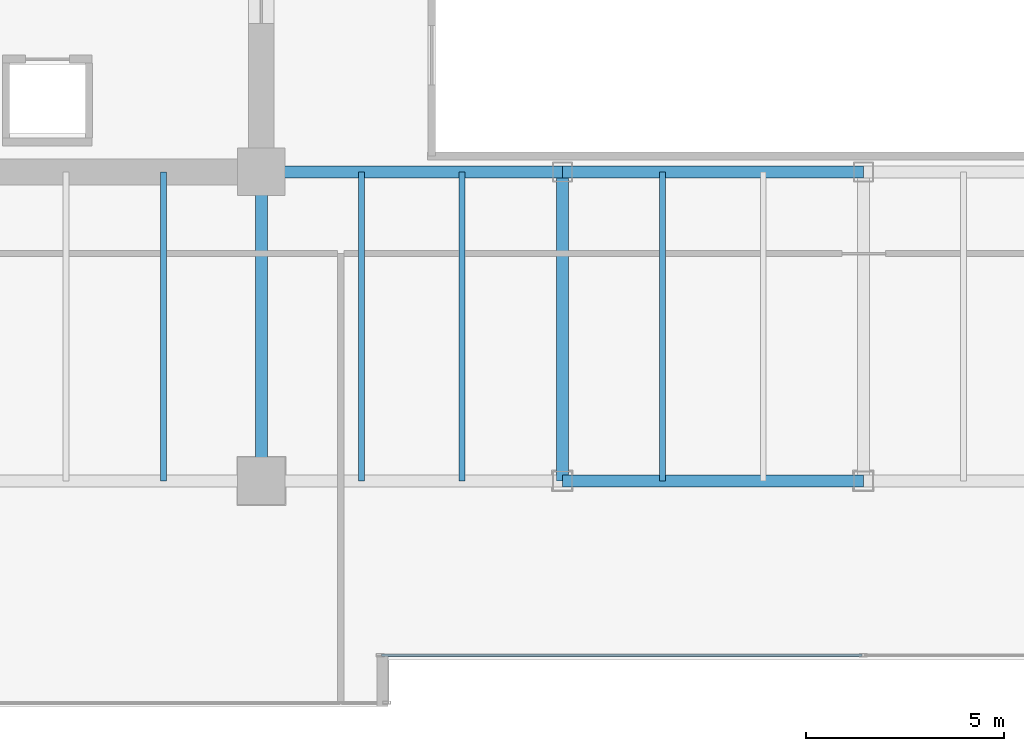
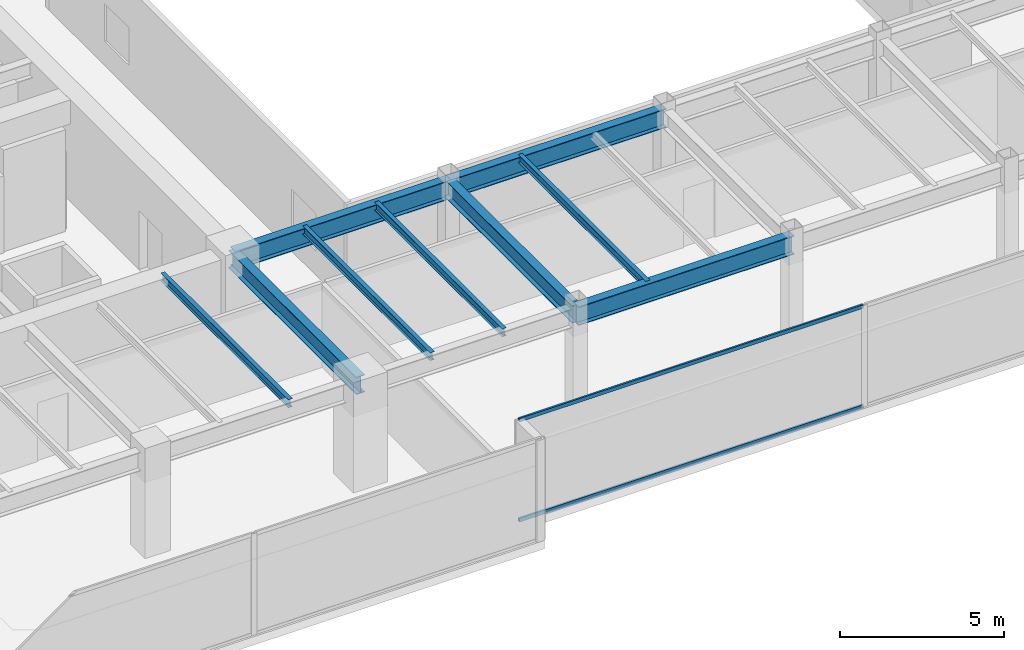
# One storey, part 5 of 33: 9 beams, 2 members, 1 element without a shape of its own.
"""IFC4 building model written with IfcOpenShell, lengths in metres."""

from ifc_helpers import new_model, si_unit, direction, frame, origin, origin_2d, place, context, subcontext, project, spatial, hollow_rectangle, i_section, extrude, source, transform, mapped, material, layer, layer_set, material_profile, profile_set, type_object, type_shapes, element, aggregate, save


model = new_model("IFC4")

# Units and contexts
model_context = context("Model", 3, precision=1e-05, world=origin(), true_north=direction((0.0, 1.0)))
body_context = subcontext(model_context, "Body", "Model", "MODEL_VIEW")
ifc_project = project(units=[si_unit("LENGTHUNIT", "METRE"), si_unit("AREAUNIT", "SQUARE_METRE"), si_unit("VOLUMEUNIT", "CUBIC_METRE"), si_unit("PLANEANGLEUNIT", "RADIAN"), si_unit("MASSUNIT", "GRAM", prefix="KILO")], contexts=[model_context])

# Site, building, storey
site_placement = place(None, origin())
site = spatial("IfcSite", under=ifc_project, at=site_placement, CompositionType="ELEMENT")
building_placement = place(site_placement, origin())
building = spatial("IfcBuilding", under=site, at=building_placement, Name="Haelvirn Gate Laboratories", CompositionType="ELEMENT")
storey_placement = place(building_placement, frame((0.0, 0.0, 133.800048828125)))
storey = spatial("IfcBuildingStorey", under=building, at=storey_placement, Name="L32", CompositionType="ELEMENT", Elevation=133.800048828125)

# Beams
ifc_material_1 = material(Name="Steel SM355", Category="steel")
ifc_material_profile_1 = material_profile(ifc_material_1, i_section(OverallWidth=0.300048828125, OverallDepth=0.64990234375, WebThickness=0.012939453125, FlangeThickness=0.02197265625, at=origin_2d()), Name="H-650x300x13x22")
ifc_profile_set_1 = profile_set([ifc_material_profile_1], Name="Steel SM355")
beam_type_1 = type_object("IfcBeamType", Name="BM-G-650", PredefinedType="BEAM", material=ifc_profile_set_1)
shared_shape_1 = source(origin(), body_context, "Body", "SweptSolid", [
    extrude(i_section(OverallWidth=0.300048828125, OverallDepth=0.64990234375, WebThickness=0.012939453125, FlangeThickness=0.02197265625, at=origin_2d()), origin(), (0.0, 0.0, 1.0), 7.800048828125),
])
type_shapes(beam_type_1, [shared_shape_1])
for number, where, z_axis, x_axis, name in (
    (1, (22.199951171875, 7.0, 3.46484375), (0.0, 1.0, 0.0), (-1.0, 0.0, 0.0), "L32 Frame Girder X22.2 (7.0-14.8)"),
    (2, (29.800048828125, 7.0, 3.46484375), (0.0, 1.0, 0.0), (-1.0, 0.0, 0.0), "L32 Frame Girder X29.8 (7.0-14.8)"),
):
    element("IfcBeam", number, at=place(storey_placement, frame(where, z_axis=z_axis, x_axis=x_axis)), inside=storey, type_object=beam_type_1, Name=name, PredefinedType="BEAM", context=body_context, shape_type="MappedRepresentation", body=[
        mapped(shared_shape_1, transform((0.0, 0.0, 0.0), scale=1.0)),
    ])
ifc_material_profile_2 = material_profile(ifc_material_1, i_section(OverallWidth=0.300048828125, OverallDepth=0.699951171875, WebThickness=0.012939453125, FlangeThickness=0.02392578125, at=origin_2d()), Name="H-700x300x13x24")
ifc_profile_set_2 = profile_set([ifc_material_profile_2], Name="Steel SM355")
beam_type_2 = type_object("IfcBeamType", Name="BM-G-700", PredefinedType="BEAM", material=ifc_profile_set_2)
shared_shape_2 = source(origin(), body_context, "Body", "SweptSolid", [
    extrude(i_section(OverallWidth=0.300048828125, OverallDepth=0.699951171875, WebThickness=0.012939453125, FlangeThickness=0.02392578125, at=origin_2d()), origin(), (0.0, 0.0, 1.0), 7.60009765625),
])
beam_placement = place(storey_placement, frame((22.199951171875, 14.800048828125, 3.43994140625), z_axis=(1.0, 0.0, 0.0), x_axis=(0.0, 1.0, 0.0)))
element("IfcBeam", 3, at=beam_placement, inside=storey, type_object=beam_type_2, Name="L32 Primary Girder Y14.8 (22.2-29.8)", PredefinedType="BEAM", context=body_context, shape_type="MappedRepresentation", body=[
    mapped(shared_shape_2, transform((0.0, 0.0, 0.0), scale=1.0)),
])
shared_shape_3 = source(origin(), body_context, "Body", "SweptSolid", [
    extrude(i_section(OverallWidth=0.300048828125, OverallDepth=0.699951171875, WebThickness=0.012939453125, FlangeThickness=0.02392578125, at=origin_2d()), origin(), (0.0, 0.0, 1.0), 7.599853515625),
])
type_shapes(beam_type_2, [shared_shape_2, shared_shape_3])
for number, where, z_axis, x_axis, name in (
    (4, (29.800048828125, 7.0, 3.43994140625), (1.0, 0.0, 0.0), (0.0, 1.0, 0.0), "L32 Primary Girder Y7.0 (29.8-37.4)"),
    (5, (29.800048828125, 14.800048828125, 3.43994140625), (1.0, 0.0, 0.0), (0.0, 1.0, 0.0), "L32 Primary Girder Y14.8 (29.8-37.4)"),
):
    element("IfcBeam", number, at=place(storey_placement, frame(where, z_axis=z_axis, x_axis=x_axis)), inside=storey, type_object=beam_type_2, Name=name, PredefinedType="BEAM", context=body_context, shape_type="MappedRepresentation", body=[
        mapped(shared_shape_3, transform((0.0, 0.0, 0.0), scale=1.0)),
    ])
ifc_material_profile_3 = material_profile(ifc_material_1, i_section(OverallWidth=0.14990234375, OverallDepth=0.300048828125, WebThickness=0.006591796875, FlangeThickness=0.009033203125, at=origin_2d()), Name="H-300x150x6.5x9")
ifc_profile_set_3 = profile_set([ifc_material_profile_3], Name="Steel SM355")
beam_type_3 = type_object("IfcBeamType", Name="BM-J-300", PredefinedType="JOIST", material=ifc_profile_set_3)
shared_shape_4 = source(origin(), body_context, "Body", "SweptSolid", [
    extrude(i_section(OverallWidth=0.14990234375, OverallDepth=0.300048828125, WebThickness=0.006591796875, FlangeThickness=0.009033203125, at=origin_2d()), origin(), (0.0, 0.0, 1.0), 7.800048828125),
])
type_shapes(beam_type_3, [shared_shape_4])
for number, where, z_axis, x_axis, name in (
    (6, (19.72998046875, 7.0, 3.639892578125), (0.0, 1.0, 0.0), (-1.0, 0.0, 0.0), "L32 Composite Lab Joist South X19.73"),
    (7, (24.72998046875, 7.0, 3.639892578125), (0.0, 1.0, 0.0), (-1.0, 0.0, 0.0), "L32 Composite Lab Joist South X24.73"),
    (8, (27.27001953125, 7.0, 3.639892578125), (0.0, 1.0, 0.0), (-1.0, 0.0, 0.0), "L32 Composite Lab Joist South X27.27"),
    (9, (32.330078125, 7.0, 3.639892578125), (0.0, 1.0, 0.0), (-1.0, 0.0, 0.0), "L32 Composite Lab Joist South X32.33"),
):
    element("IfcBeam", number, at=place(storey_placement, frame(where, z_axis=z_axis, x_axis=x_axis)), inside=storey, type_object=beam_type_3, Name=name, PredefinedType="JOIST", context=body_context, shape_type="MappedRepresentation", body=[
        mapped(shared_shape_4, transform((0.0, 0.0, 0.0), scale=1.0)),
    ])

# Curtain wall, members
ifc_material_2 = material(Name="Anodised bronze unitised aluminium & triple low-E glass", Category="aluminium")
ifc_layer = layer(ifc_material_2, 0.179931640625, Name="CW-SYS-3")
ifc_layer_set = layer_set([ifc_layer], Name="Anodised bronze unitised aluminium & triple low-E glass")
curtain_wall_type = type_object("IfcCurtainWallType", Name="CW-SYS-3", PredefinedType="NOTDEFINED", material=ifc_layer_set)
curtain_wall_placement = place(storey_placement, origin())
curtain_wall = element("IfcCurtainWall", 10, at=curtain_wall_placement, inside=storey, type_object=curtain_wall_type, Name="L32 Unitised Curtain Wall CW-L32-P0-E02-1", PredefinedType="NOTDEFINED")
ifc_material_3 = material(Name="Extruded aluminium 6063-T6 (anodised bronze)", Category="aluminium")
ifc_material_profile_4 = material_profile(ifc_material_3, hollow_rectangle(XDim=0.06494140625, YDim=0.139892578125, WallThickness=0.00390625, at=origin_2d()), Name="CWT-140x65x4")
ifc_profile_set_4 = profile_set([ifc_material_profile_4], Name="Extruded aluminium 6063-T6 (anodised bronze)")
member_type = type_object("IfcMemberType", Name="CWT-T140", PredefinedType="USERDEFINED", material=ifc_profile_set_4)
shared_shape_5 = source(origin(), body_context, "Body", "SweptSolid", [
    extrude(hollow_rectangle(XDim=0.06494140625, YDim=0.139892578125, WallThickness=0.00390625, at=origin_2d()), origin(), (0.0, 0.0, 1.0), 12.12744140625),
])
type_shapes(member_type, [shared_shape_5])
member_1_placement = place(storey_placement, frame((25.235107421875, 2.60009765625, 0.032470703125), z_axis=(1.0, 0.0, 0.0), x_axis=(0.0, 1.0, 0.0)))
member_1 = element("IfcMember", 11, at=member_1_placement, type_object=member_type, Name="CW3 transom 1.1", ObjectType="TRANSOM", PredefinedType="USERDEFINED", context=body_context, shape_type="MappedRepresentation", body=[
    mapped(shared_shape_5, transform((0.0, 0.0, 0.0), scale=1.0)),
])
member_2_placement = place(storey_placement, frame((25.235107421875, 2.60009765625, 3.757568359375), z_axis=(1.0, 0.0, 0.0), x_axis=(0.0, 1.0, 0.0)))
member_2 = element("IfcMember", 12, at=member_2_placement, type_object=member_type, Name="CW3 transom 1.2", ObjectType="TRANSOM", PredefinedType="USERDEFINED", context=body_context, shape_type="MappedRepresentation", body=[
    mapped(shared_shape_5, transform((0.0, 0.0, 0.0), scale=1.0)),
])
aggregate(curtain_wall, [member_1, member_2])

save(model, "model.ifc")
